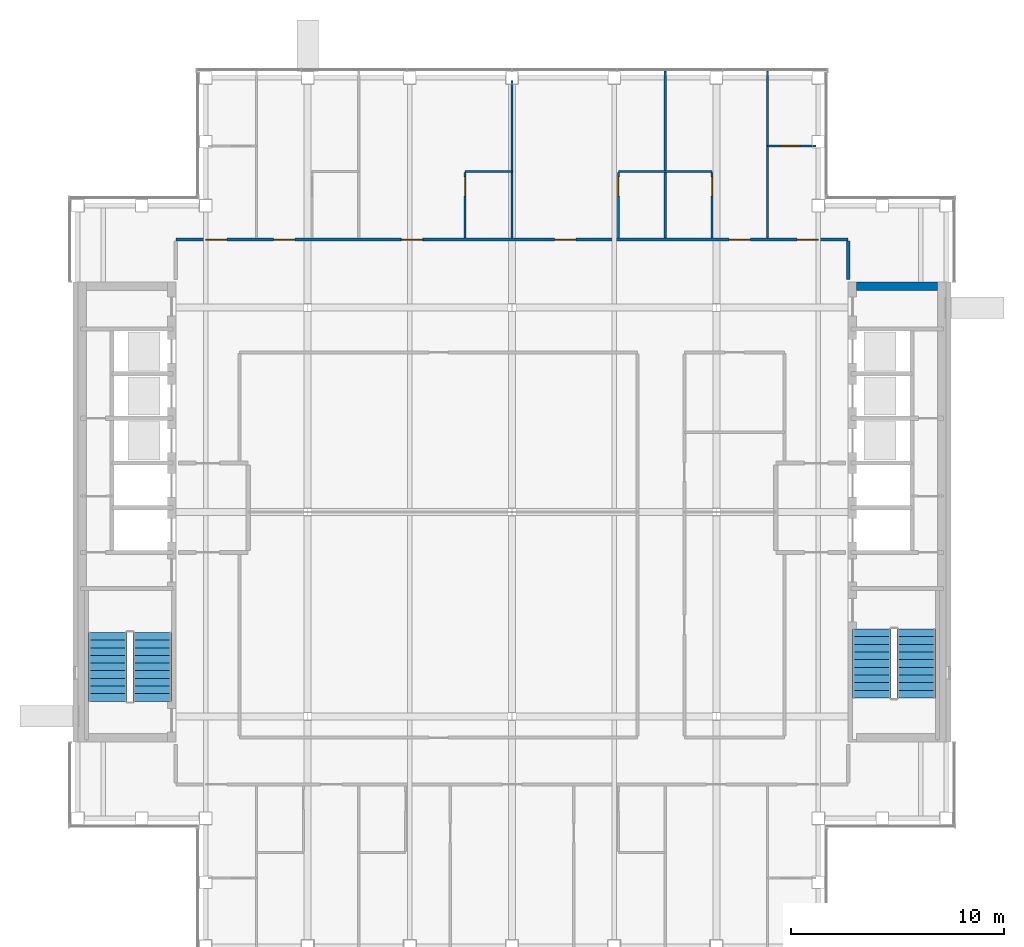
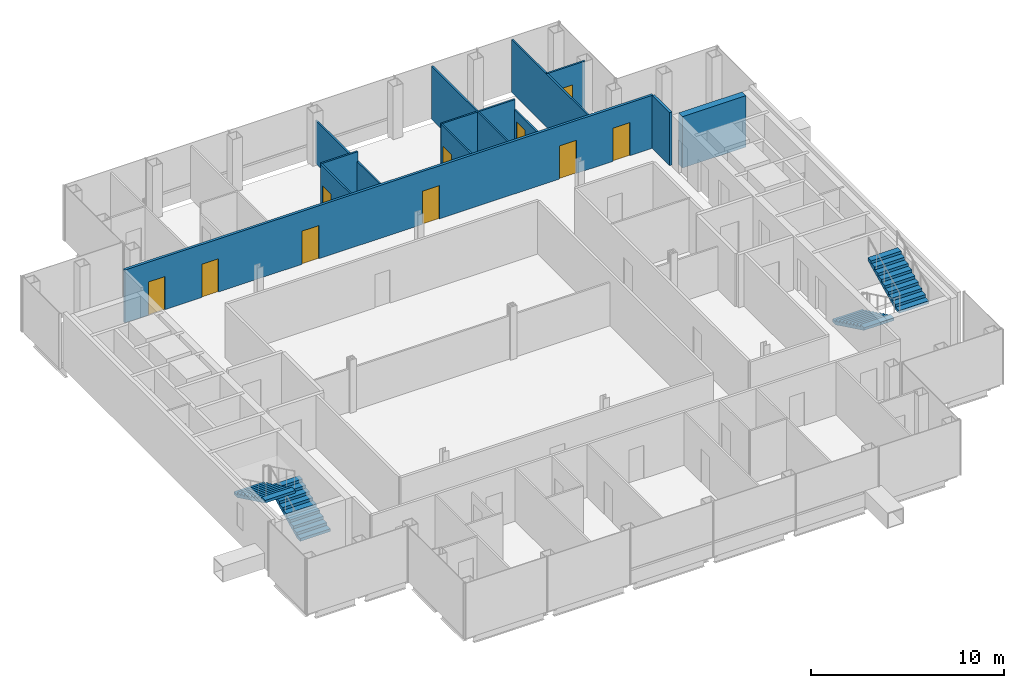
# One storey, part 13 of 15: 13 walls, 10 doors, 4 stair flights, 10 openings, 2 elements without a shape of their own.
"""IFC4 building model written with IfcOpenShell, lengths in metres."""

from ifc_helpers import new_model, si_unit, direction, frame, frame_2d, origin, place, context, subcontext, project, spatial, polyline, rectangle, outline, extrude, material, layer, layer_set, type_object, element, fill, aggregate, save


model = new_model("IFC4")

# Units and contexts
model_context = context("Model", 3, precision=1e-05, world=origin(), true_north=direction((0.0, 1.0)))
body_context = subcontext(model_context, "Body", "Model", "MODEL_VIEW")
ifc_project = project(units=[si_unit("LENGTHUNIT", "METRE"), si_unit("AREAUNIT", "SQUARE_METRE"), si_unit("VOLUMEUNIT", "CUBIC_METRE"), si_unit("PLANEANGLEUNIT", "RADIAN"), si_unit("MASSUNIT", "GRAM", prefix="KILO")], contexts=[model_context])

# Site, building, storey
site_placement = place(None, origin())
site = spatial("IfcSite", under=ifc_project, at=site_placement, CompositionType="ELEMENT")
building_placement = place(site_placement, origin())
building = spatial("IfcBuilding", under=site, at=building_placement, Name="Cobrizo Arcos Hotel Tower", CompositionType="ELEMENT")
storey_placement = place(building_placement, frame((0.0, 0.0, 258.5)))
storey = spatial("IfcBuildingStorey", under=building, at=storey_placement, Name="L68", CompositionType="ELEMENT", Elevation=258.5)

# Wall, openings, doors
ifc_material_1 = material(Name="Gypsum board partition")
ifc_layer_1 = layer(ifc_material_1, 0.14990234375)
ifc_layer_set_1 = layer_set([ifc_layer_1], Name="Corridor wall EI 60 150")
wall_type_1 = type_object("IfcWallType", Name="Corridor wall EI 60 150", PredefinedType="PARTITIONING", material=ifc_layer_set_1)
wall_1_placement = place(storey_placement, frame((-15.800048828125, 12.800048828125, 0.0), z_axis=(0.0, 0.0, 1.0), x_axis=(1.0, 0.0, 0.0)))
wall_1 = element("IfcWall", 1, at=wall_1_placement, inside=storey, type_object=wall_type_1, Name="Partition 040", PredefinedType="PARTITIONING", context=body_context, shape_type="SweptSolid", body=[
    extrude(rectangle(XDim=31.60009765625, YDim=0.14990234375, at=frame_2d((15.800048828125, 0.0))), origin(), (0.0, 0.0, 1.0), 3.35009765625),
])
opening_1_placement = place(wall_1_placement, frame((4.60009765625, 0.0, 0.0)))
opening_1 = element("IfcOpeningElement", 2, at=opening_1_placement, cuts=wall_1, Name="Opening GD-01", PredefinedType="OPENING", context=body_context, shape_type="SweptSolid", body=[
    extrude(rectangle(XDim=1.0, YDim=2.10009765625, at=frame_2d((0.5, 1.050048828125))), frame((0.0, 0.0869140625, 0.0), z_axis=(0.0, -1.0, 0.0), x_axis=(1.0, 0.0, 0.0)), (0.0, 0.0, 1.0), 0.173828125),
])
opening_2_placement = place(wall_1_placement, frame((10.60009765625, 0.0, 0.0)))
opening_2 = element("IfcOpeningElement", 3, at=opening_2_placement, cuts=wall_1, Name="Opening GD-02", PredefinedType="OPENING", context=body_context, shape_type="SweptSolid", body=[
    extrude(rectangle(XDim=1.0, YDim=2.10009765625, at=frame_2d((0.5, 1.050048828125))), frame((0.0, 0.0869140625, 0.0), z_axis=(0.0, -1.0, 0.0), x_axis=(1.0, 0.0, 0.0)), (0.0, 0.0, 1.0), 0.173828125),
])
opening_3_placement = place(wall_1_placement, frame((17.800048828125, 0.0, 0.0)))
opening_3 = element("IfcOpeningElement", 4, at=opening_3_placement, cuts=wall_1, Name="Opening GD-03", PredefinedType="OPENING", context=body_context, shape_type="SweptSolid", body=[
    extrude(rectangle(XDim=1.0, YDim=2.10009765625, at=frame_2d((0.5, 1.050048828125))), frame((0.0, 0.0869140625, 0.0), z_axis=(0.0, -1.0, 0.0), x_axis=(1.0, 0.0, 0.0)), (0.0, 0.0, 1.0), 0.173828125),
])
opening_4_placement = place(wall_1_placement, frame((26.0, 0.0, 0.0)))
opening_4 = element("IfcOpeningElement", 5, at=opening_4_placement, cuts=wall_1, Name="Opening GD-04", PredefinedType="OPENING", context=body_context, shape_type="SweptSolid", body=[
    extrude(rectangle(XDim=1.0, YDim=2.10009765625, at=frame_2d((0.5, 1.050048828125))), frame((0.0, 0.0869140625, 0.0), z_axis=(0.0, -1.0, 0.0), x_axis=(1.0, 0.0, 0.0)), (0.0, 0.0, 1.0), 0.173828125),
])
opening_5_placement = place(wall_1_placement, frame((1.39990234375, 0.0, 0.0)))
opening_5 = element("IfcOpeningElement", 6, at=opening_5_placement, cuts=wall_1, Name="Opening GD-07", PredefinedType="OPENING", context=body_context, shape_type="SweptSolid", body=[
    extrude(rectangle(XDim=1.0, YDim=2.10009765625, at=frame_2d((0.5, 1.050048828125))), frame((0.0, 0.0869140625, 0.0), z_axis=(0.0, -1.0, 0.0), x_axis=(1.0, 0.0, 0.0)), (0.0, 0.0, 1.0), 0.173828125),
])
opening_6_placement = place(wall_1_placement, frame((29.199951171875, 0.0, 0.0)))
opening_6 = element("IfcOpeningElement", 7, at=opening_6_placement, cuts=wall_1, Name="Opening GD-09", PredefinedType="OPENING", context=body_context, shape_type="SweptSolid", body=[
    extrude(rectangle(XDim=1.0, YDim=2.10009765625, at=frame_2d((0.5, 1.050048828125))), frame((0.0, 0.0869140625, 0.0), z_axis=(0.0, -1.0, 0.0), x_axis=(1.0, 0.0, 0.0)), (0.0, 0.0, 1.0), 0.173828125),
])
ifc_material_2 = material(Name="Timber door leaf", Category="wood")
door_type_1 = type_object("IfcDoorType", Name="Guest room door FD30S 1000x2100", OperationType="SINGLE_SWING_LEFT", PredefinedType="DOOR", material=ifc_material_2)
door_1_placement = place(opening_1_placement, origin())
door_1 = element("IfcDoor", 8, at=door_1_placement, inside=storey, type_object=door_type_1, Name="Door GD-01", OperationType="SINGLE_SWING_RIGHT", OverallHeight=2.10009765625, OverallWidth=1.0, PredefinedType="DOOR", context=body_context, shape_type="SweptSolid", body=[
    extrude(rectangle(XDim=1.0, YDim=2.10009765625, at=frame_2d((0.5, 1.050048828125))), frame((0.0, 0.02490234375, 0.0), z_axis=(0.0, -1.0, 0.0), x_axis=(1.0, 0.0, 0.0)), (0.0, 0.0, 1.0), 0.050048828125),
])
fill(opening_1, door_1)
door_2_placement = place(opening_2_placement, origin())
door_2 = element("IfcDoor", 9, at=door_2_placement, inside=storey, type_object=door_type_1, Name="Door GD-02", OperationType="SINGLE_SWING_RIGHT", OverallHeight=2.10009765625, OverallWidth=1.0, PredefinedType="DOOR", context=body_context, shape_type="SweptSolid", body=[
    extrude(rectangle(XDim=1.0, YDim=2.10009765625, at=frame_2d((0.5, 1.050048828125))), frame((0.0, 0.02490234375, 0.0), z_axis=(0.0, -1.0, 0.0), x_axis=(1.0, 0.0, 0.0)), (0.0, 0.0, 1.0), 0.050048828125),
])
fill(opening_2, door_2)
door_3_placement = place(opening_3_placement, origin())
door_3 = element("IfcDoor", 10, at=door_3_placement, inside=storey, type_object=door_type_1, Name="Door GD-03", OperationType="SINGLE_SWING_LEFT", OverallHeight=2.10009765625, OverallWidth=1.0, PredefinedType="DOOR", context=body_context, shape_type="SweptSolid", body=[
    extrude(rectangle(XDim=1.0, YDim=2.10009765625, at=frame_2d((0.5, 1.050048828125))), frame((0.0, 0.02490234375, 0.0), z_axis=(0.0, -1.0, 0.0), x_axis=(1.0, 0.0, 0.0)), (0.0, 0.0, 1.0), 0.050048828125),
])
fill(opening_3, door_3)
door_4_placement = place(opening_4_placement, origin())
door_4 = element("IfcDoor", 11, at=door_4_placement, inside=storey, type_object=door_type_1, Name="Door GD-04", OperationType="SINGLE_SWING_LEFT", OverallHeight=2.10009765625, OverallWidth=1.0, PredefinedType="DOOR", context=body_context, shape_type="SweptSolid", body=[
    extrude(rectangle(XDim=1.0, YDim=2.10009765625, at=frame_2d((0.5, 1.050048828125))), frame((0.0, 0.02490234375, 0.0), z_axis=(0.0, -1.0, 0.0), x_axis=(1.0, 0.0, 0.0)), (0.0, 0.0, 1.0), 0.050048828125),
])
fill(opening_4, door_4)
door_5_placement = place(opening_5_placement, origin())
door_5 = element("IfcDoor", 12, at=door_5_placement, inside=storey, type_object=door_type_1, Name="Door GD-07", OperationType="SINGLE_SWING_RIGHT", OverallHeight=2.10009765625, OverallWidth=1.0, PredefinedType="DOOR", context=body_context, shape_type="SweptSolid", body=[
    extrude(rectangle(XDim=1.0, YDim=2.10009765625, at=frame_2d((0.5, 1.050048828125))), frame((0.0, 0.02490234375, 0.0), z_axis=(0.0, -1.0, 0.0), x_axis=(1.0, 0.0, 0.0)), (0.0, 0.0, 1.0), 0.050048828125),
])
fill(opening_5, door_5)
door_6_placement = place(opening_6_placement, origin())
door_6 = element("IfcDoor", 13, at=door_6_placement, inside=storey, type_object=door_type_1, Name="Door GD-09", OperationType="SINGLE_SWING_LEFT", OverallHeight=2.10009765625, OverallWidth=1.0, PredefinedType="DOOR", context=body_context, shape_type="SweptSolid", body=[
    extrude(rectangle(XDim=1.0, YDim=2.10009765625, at=frame_2d((0.5, 1.050048828125))), frame((0.0, 0.02490234375, 0.0), z_axis=(0.0, -1.0, 0.0), x_axis=(1.0, 0.0, 0.0)), (0.0, 0.0, 1.0), 0.050048828125),
])
fill(opening_6, door_6)

# Walls
wall_2_placement = place(storey_placement, frame((15.800048828125, 10.919921875, 0.0), z_axis=(0.0, 0.0, 1.0), x_axis=(0.0, 1.0, 0.0)))
element("IfcWall", 14, at=wall_2_placement, inside=storey, type_object=wall_type_1, Name="Partition 079", PredefinedType="PARTITIONING", context=body_context, shape_type="SweptSolid", body=[
    extrude(rectangle(XDim=1.80517578125, YDim=0.14990234375, at=frame_2d((0.902587890625, 0.0))), origin(), (0.0, 0.0, 1.0), 3.35009765625),
])
ifc_layer_2 = layer(ifc_material_1, 0.10009765625)
ifc_layer_set_2 = layer_set([ifc_layer_2], Name="Partition EI 30 100")
wall_type_2 = type_object("IfcWallType", Name="Partition EI 30 100", PredefinedType="PARTITIONING", material=ifc_layer_set_2)
wall_3_placement = place(storey_placement, frame((-2.199951171875, 16.0, 0.0), z_axis=(0.0, 0.0, 1.0), x_axis=(1.0, 0.0, 0.0)))
element("IfcWall", 15, at=wall_3_placement, inside=storey, type_object=wall_type_2, Name="Partition 042", PredefinedType="PARTITIONING", context=body_context, shape_type="SweptSolid", body=[
    extrude(rectangle(XDim=2.199951171875, YDim=0.10009765625, at=frame_2d((1.10009765625, 0.0))), origin(), (0.0, 0.0, 1.0), 3.35009765625),
])
wall_4_placement = place(storey_placement, frame((5.0, 16.0, 0.0), z_axis=(0.0, 0.0, 1.0), x_axis=(1.0, 0.0, 0.0)))
element("IfcWall", 16, at=wall_4_placement, inside=storey, type_object=wall_type_2, Name="Partition 043", PredefinedType="PARTITIONING", context=body_context, shape_type="SweptSolid", body=[
    extrude(rectangle(XDim=4.39990234375, YDim=0.10009765625, at=frame_2d((2.199951171875, 0.0))), origin(), (0.0, 0.0, 1.0), 3.35009765625),
])

# Wall, opening, door
wall_5_placement = place(storey_placement, frame((12.0, 17.199951171875, 0.0), z_axis=(0.0, 0.0, 1.0), x_axis=(1.0, 0.0, 0.0)))
wall_5 = element("IfcWall", 17, at=wall_5_placement, inside=storey, type_object=wall_type_2, Name="Partition 045", PredefinedType="PARTITIONING", context=body_context, shape_type="SweptSolid", body=[
    extrude(rectangle(XDim=2.280029296875, YDim=0.10009765625, at=frame_2d((1.14013671875, 0.0))), origin(), (0.0, 0.0, 1.0), 3.35009765625),
])
opening_7_placement = place(wall_5_placement, frame((0.6298828125, 0.0, 0.0)))
opening_7 = element("IfcOpeningElement", 18, at=opening_7_placement, cuts=wall_5, Name="Opening ED-11", PredefinedType="OPENING", context=body_context, shape_type="SweptSolid", body=[
    extrude(rectangle(XDim=0.89990234375, YDim=2.10009765625, at=frame_2d((0.449951171875, 1.050048828125))), frame((0.0, 0.06201171875, 0.0), z_axis=(0.0, -1.0, 0.0), x_axis=(1.0, 0.0, 0.0)), (0.0, 0.0, 1.0), 0.1240234375),
])
door_type_2 = type_object("IfcDoorType", Name="En-suite door 900x2100", OperationType="SINGLE_SWING_LEFT", PredefinedType="DOOR", material=ifc_material_2)
door_7_placement = place(opening_7_placement, origin())
door_7 = element("IfcDoor", 19, at=door_7_placement, inside=storey, type_object=door_type_2, Name="Door ED-11", OperationType="SINGLE_SWING_LEFT", OverallHeight=2.10009765625, OverallWidth=0.89990234375, PredefinedType="DOOR", context=body_context, shape_type="SweptSolid", body=[
    extrude(rectangle(XDim=0.89990234375, YDim=2.10009765625, at=frame_2d((0.449951171875, 1.050048828125))), frame((0.0, 0.02490234375, 0.0), z_axis=(0.0, -1.0, 0.0), x_axis=(1.0, 0.0, 0.0)), (0.0, 0.0, 1.0), 0.050048828125),
])
fill(opening_7, door_7)

wall_6_placement = place(storey_placement, frame((-2.199951171875, 12.875, 0.0), z_axis=(0.0, 0.0, 1.0), x_axis=(0.0, 1.0, 0.0)))
wall_6 = element("IfcWall", 20, at=wall_6_placement, inside=storey, type_object=wall_type_2, Name="Partition 062", PredefinedType="PARTITIONING", context=body_context, shape_type="SweptSolid", body=[
    extrude(rectangle(XDim=3.074951171875, YDim=0.10009765625, at=frame_2d((1.53759765625, 0.0))), origin(), (0.0, 0.0, 1.0), 3.35009765625),
])
opening_8_placement = place(wall_6_placement, frame((1.970947265625, 0.0, 0.0)))
opening_8 = element("IfcOpeningElement", 21, at=opening_8_placement, cuts=wall_6, Name="Opening ED-02", PredefinedType="OPENING", context=body_context, shape_type="SweptSolid", body=[
    extrude(rectangle(XDim=0.89990234375, YDim=2.10009765625, at=frame_2d((0.449951171875, 1.050048828125))), frame((0.0, 0.06201171875, 0.0), z_axis=(0.0, -1.0, 0.0), x_axis=(1.0, 0.0, 0.0)), (0.0, 0.0, 1.0), 0.1240234375),
])
door_8_placement = place(opening_8_placement, origin())
door_8 = element("IfcDoor", 22, at=door_8_placement, inside=storey, type_object=door_type_2, Name="Door ED-02", OperationType="SINGLE_SWING_RIGHT", OverallHeight=2.10009765625, OverallWidth=0.89990234375, PredefinedType="DOOR", context=body_context, shape_type="SweptSolid", body=[
    extrude(rectangle(XDim=0.89990234375, YDim=2.10009765625, at=frame_2d((0.449951171875, 1.050048828125))), frame((0.0, 0.02490234375, 0.0), z_axis=(0.0, -1.0, 0.0), x_axis=(1.0, 0.0, 0.0)), (0.0, 0.0, 1.0), 0.050048828125),
])
fill(opening_8, door_8)

# Wall
wall_7_placement = place(storey_placement, frame((0.0, 12.875, 0.0), z_axis=(0.0, 0.0, 1.0), x_axis=(0.0, 1.0, 0.0)))
element("IfcWall", 23, at=wall_7_placement, inside=storey, type_object=wall_type_2, Name="Partition 063", PredefinedType="PARTITIONING", context=body_context, shape_type="SweptSolid", body=[
    extrude(rectangle(XDim=7.405029296875, YDim=0.10009765625, at=frame_2d((3.70263671875, 0.0))), origin(), (0.0, 0.0, 1.0), 2.72802734375),
])

# Wall, opening, door
wall_8_placement = place(storey_placement, frame((5.0, 12.875, 0.0), z_axis=(0.0, 0.0, 1.0), x_axis=(0.0, 1.0, 0.0)))
wall_8 = element("IfcWall", 24, at=wall_8_placement, inside=storey, type_object=wall_type_2, Name="Partition 066", PredefinedType="PARTITIONING", context=body_context, shape_type="SweptSolid", body=[
    extrude(rectangle(XDim=3.074951171875, YDim=0.10009765625, at=frame_2d((1.53759765625, 0.0))), origin(), (0.0, 0.0, 1.0), 3.35009765625),
])
opening_9_placement = place(wall_8_placement, frame((1.970947265625, 0.0, 0.0)))
opening_9 = element("IfcOpeningElement", 25, at=opening_9_placement, cuts=wall_8, Name="Opening ED-03", PredefinedType="OPENING", context=body_context, shape_type="SweptSolid", body=[
    extrude(rectangle(XDim=0.89990234375, YDim=2.10009765625, at=frame_2d((0.449951171875, 1.050048828125))), frame((0.0, 0.06201171875, 0.0), z_axis=(0.0, -1.0, 0.0), x_axis=(1.0, 0.0, 0.0)), (0.0, 0.0, 1.0), 0.1240234375),
])
door_9_placement = place(opening_9_placement, origin())
door_9 = element("IfcDoor", 26, at=door_9_placement, inside=storey, type_object=door_type_2, Name="Door ED-03", OperationType="SINGLE_SWING_LEFT", OverallHeight=2.10009765625, OverallWidth=0.89990234375, PredefinedType="DOOR", context=body_context, shape_type="SweptSolid", body=[
    extrude(rectangle(XDim=0.89990234375, YDim=2.10009765625, at=frame_2d((0.449951171875, 1.050048828125))), frame((0.0, 0.02490234375, 0.0), z_axis=(0.0, -1.0, 0.0), x_axis=(1.0, 0.0, 0.0)), (0.0, 0.0, 1.0), 0.050048828125),
])
fill(opening_9, door_9)

# Walls
wall_9_placement = place(storey_placement, frame((7.199951171875, 12.875, 0.0), z_axis=(0.0, 0.0, 1.0), x_axis=(0.0, 1.0, 0.0)))
element("IfcWall", 27, at=wall_9_placement, inside=storey, type_object=wall_type_2, Name="Partition 069", PredefinedType="PARTITIONING", context=body_context, shape_type="SweptSolid", body=[
    extrude(rectangle(XDim=3.074951171875, YDim=0.10009765625, at=frame_2d((1.53759765625, 0.0))), origin(), (0.0, 0.0, 1.0), 3.35009765625),
])
wall_10_placement = place(storey_placement, frame((7.199951171875, 16.050048828125, 0.0), z_axis=(0.0, 0.0, 1.0), x_axis=(0.0, 1.0, 0.0)))
element("IfcWall", 28, at=wall_10_placement, inside=storey, type_object=wall_type_2, Name="Partition 070", PredefinedType="PARTITIONING", context=body_context, shape_type="SweptSolid", body=[
    extrude(rectangle(XDim=4.679931640625, YDim=0.10009765625, at=frame_2d((2.33984375, 0.0))), origin(), (0.0, 0.0, 1.0), 3.35009765625),
])

# Wall, opening, door
wall_11_placement = place(storey_placement, frame((9.39990234375, 12.875, 0.0), z_axis=(0.0, 0.0, 1.0), x_axis=(0.0, 1.0, 0.0)))
wall_11 = element("IfcWall", 29, at=wall_11_placement, inside=storey, type_object=wall_type_2, Name="Partition 072", PredefinedType="PARTITIONING", context=body_context, shape_type="SweptSolid", body=[
    extrude(rectangle(XDim=3.074951171875, YDim=0.10009765625, at=frame_2d((1.53759765625, 0.0))), origin(), (0.0, 0.0, 1.0), 2.72802734375),
])
opening_10_placement = place(wall_11_placement, frame((1.970947265625, 0.0, 0.0)))
opening_10 = element("IfcOpeningElement", 30, at=opening_10_placement, cuts=wall_11, Name="Opening ED-04", PredefinedType="OPENING", context=body_context, shape_type="SweptSolid", body=[
    extrude(rectangle(XDim=0.89990234375, YDim=2.10009765625, at=frame_2d((0.449951171875, 1.050048828125))), frame((0.0, 0.06201171875, 0.0), z_axis=(0.0, -1.0, 0.0), x_axis=(1.0, 0.0, 0.0)), (0.0, 0.0, 1.0), 0.1240234375),
])
door_10_placement = place(opening_10_placement, origin())
door_10 = element("IfcDoor", 31, at=door_10_placement, inside=storey, type_object=door_type_2, Name="Door ED-04", OperationType="SINGLE_SWING_RIGHT", OverallHeight=2.10009765625, OverallWidth=0.89990234375, PredefinedType="DOOR", context=body_context, shape_type="SweptSolid", body=[
    extrude(rectangle(XDim=0.89990234375, YDim=2.10009765625, at=frame_2d((0.449951171875, 1.050048828125))), frame((0.0, 0.02490234375, 0.0), z_axis=(0.0, -1.0, 0.0), x_axis=(1.0, 0.0, 0.0)), (0.0, 0.0, 1.0), 0.050048828125),
])
fill(opening_10, door_10)

# Walls
wall_12_placement = place(storey_placement, frame((12.0, 12.875, 0.0), z_axis=(0.0, 0.0, 1.0), x_axis=(0.0, 1.0, 0.0)))
element("IfcWall", 32, at=wall_12_placement, inside=storey, type_object=wall_type_2, Name="Partition 074", PredefinedType="PARTITIONING", context=body_context, shape_type="SweptSolid", body=[
    extrude(rectangle(XDim=7.85498046875, YDim=0.10009765625, at=frame_2d((3.927490234375, 0.0))), origin(), (0.0, 0.0, 1.0), 3.35009765625),
])
ifc_material_3 = material(Name="Concrete f'c 40 MPa", Category="concrete")
ifc_layer_3 = layer(ifc_material_3, 0.39990234375)
ifc_layer_set_3 = layer_set([ifc_layer_3], Name="RC core wall 400 f'c 40")
wall_type_3 = type_object("IfcWallType", Name="RC core wall 400 f'c 40", PredefinedType="SHEAR", material=ifc_layer_set_3)
wall_13_placement = place(storey_placement, frame((16.199951171875, 10.60009765625, 0.0), z_axis=(0.0, 0.0, 1.0), x_axis=(1.0, 0.0, 0.0)))
element("IfcWall", 33, at=wall_13_placement, inside=storey, type_object=wall_type_3, Name="Core wall CW4, east core, north end, L68", PredefinedType="SHEAR", context=body_context, shape_type="SweptSolid", body=[
    extrude(rectangle(XDim=3.800048828125, YDim=0.39990234375, at=frame_2d((1.89990234375, 0.0))), origin(), (0.0, 0.0, 1.0), 3.25),
])

# Stair, stair flights
stair_type = type_object("IfcStairType", Name="Exit stair", PredefinedType="HALF_TURN_STAIR", material=ifc_material_3)
stair_1_placement = place(storey_placement, origin())
stair_1 = element("IfcStair", 34, at=stair_1_placement, inside=storey, type_object=stair_type, Name="L68 Exit stair ST-W", PredefinedType="HALF_TURN_STAIR")
stair_flight_type = type_object("IfcStairFlightType", Name="Exit stair flight", PredefinedType="STRAIGHT", material=ifc_material_3)
stair_flight_1_placement = place(storey_placement, frame((-16.89990234375, -8.89990234375, 0.0), z_axis=(0.0, 0.0, 1.0), x_axis=(0.0, 1.0, 0.0)))
stair_flight_1 = element("IfcStairFlight", 35, at=stair_flight_1_placement, type_object=stair_flight_type, Name="ST-W flight 1", NumberOfRisers=10, NumberOfTreads=9, PredefinedType="STRAIGHT", RiserHeight=0.175, TreadLength=0.36, context=body_context, shape_type="SweptSolid", body=[
    extrude(outline(polyline([(0.0, 0.0), (0.0, 0.175048828125), (0.360107421875, 0.175048828125), (0.360107421875, 0.35009765625), (0.719970703125, 0.35009765625), (0.719970703125, 0.52490234375), (1.080078125, 0.52490234375), (1.080078125, 0.699951171875), (1.43994140625, 0.699951171875), (1.43994140625, 0.875), (1.800048828125, 0.875), (1.800048828125, 1.050048828125), (2.159912109375, 1.050048828125), (2.159912109375, 1.22509765625), (2.52001953125, 1.22509765625), (2.52001953125, 1.39990234375), (2.8798828125, 1.39990234375), (2.8798828125, 1.574951171875), (3.239990234375, 1.574951171875), (3.239990234375, 1.75), (3.239990234375, 1.408203125), (0.3427734375, 0.0), (0.0, 0.0)])), frame((0.0, 0.89990234375, 0.0), z_axis=(0.0, -1.0, 0.0), x_axis=(1.0, 0.0, 0.0)), (0.0, 0.0, 1.0), 1.800048828125),
])
stair_flight_2_placement = place(storey_placement, frame((-19.0, -5.659912109375, 1.75), z_axis=(0.0, 0.0, 1.0), x_axis=(0.0, -1.0, 0.0)))
stair_flight_2 = element("IfcStairFlight", 36, at=stair_flight_2_placement, type_object=stair_flight_type, Name="ST-W flight 2", NumberOfRisers=10, NumberOfTreads=9, PredefinedType="STRAIGHT", RiserHeight=0.175, TreadLength=0.36, context=body_context, shape_type="SweptSolid", body=[
    extrude(outline(polyline([(0.0, 0.0), (0.0, 0.175048828125), (0.360107421875, 0.175048828125), (0.360107421875, 0.35009765625), (0.719970703125, 0.35009765625), (0.719970703125, 0.52490234375), (1.080078125, 0.52490234375), (1.080078125, 0.699951171875), (1.43994140625, 0.699951171875), (1.43994140625, 0.875), (1.800048828125, 0.875), (1.800048828125, 1.050048828125), (2.159912109375, 1.050048828125), (2.159912109375, 1.22509765625), (2.52001953125, 1.22509765625), (2.52001953125, 1.39990234375), (2.8798828125, 1.39990234375), (2.8798828125, 1.574951171875), (3.239990234375, 1.574951171875), (3.239990234375, 1.75), (3.239990234375, 1.408203125), (0.3427734375, 0.0), (0.0, 0.0)])), frame((0.0, 0.89990234375, 0.0), z_axis=(0.0, -1.0, 0.0), x_axis=(1.0, 0.0, 0.0)), (0.0, 0.0, 1.0), 1.800048828125),
])
aggregate(stair_1, [stair_flight_1, stair_flight_2])

stair_2_placement = place(storey_placement, origin())
stair_2 = element("IfcStair", 37, at=stair_2_placement, inside=storey, type_object=stair_type, Name="L68 Exit stair ST-E", PredefinedType="HALF_TURN_STAIR")
stair_flight_3_placement = place(storey_placement, frame((16.89990234375, -5.5, 0.0), z_axis=(0.0, 0.0, 1.0), x_axis=(0.0, -1.0, 0.0)))
stair_flight_3 = element("IfcStairFlight", 38, at=stair_flight_3_placement, type_object=stair_flight_type, Name="ST-E flight 1", NumberOfRisers=10, NumberOfTreads=9, PredefinedType="STRAIGHT", RiserHeight=0.175, TreadLength=0.36, context=body_context, shape_type="SweptSolid", body=[
    extrude(outline(polyline([(0.0, 0.0), (0.0, 0.175048828125), (0.360107421875, 0.175048828125), (0.360107421875, 0.35009765625), (0.719970703125, 0.35009765625), (0.719970703125, 0.52490234375), (1.080078125, 0.52490234375), (1.080078125, 0.699951171875), (1.43994140625, 0.699951171875), (1.43994140625, 0.875), (1.800048828125, 0.875), (1.800048828125, 1.050048828125), (2.159912109375, 1.050048828125), (2.159912109375, 1.22509765625), (2.52001953125, 1.22509765625), (2.52001953125, 1.39990234375), (2.8798828125, 1.39990234375), (2.8798828125, 1.574951171875), (3.239990234375, 1.574951171875), (3.239990234375, 1.75), (3.239990234375, 1.408203125), (0.3427734375, 0.0), (0.0, 0.0)])), frame((0.0, 0.89990234375, 0.0), z_axis=(0.0, -1.0, 0.0), x_axis=(1.0, 0.0, 0.0)), (0.0, 0.0, 1.0), 1.800048828125),
])
stair_flight_4_placement = place(storey_placement, frame((19.0, -8.739990234375, 1.75), z_axis=(0.0, 0.0, 1.0), x_axis=(0.0, 1.0, 0.0)))
stair_flight_4 = element("IfcStairFlight", 39, at=stair_flight_4_placement, type_object=stair_flight_type, Name="ST-E flight 2", NumberOfRisers=10, NumberOfTreads=9, PredefinedType="STRAIGHT", RiserHeight=0.175, TreadLength=0.36, context=body_context, shape_type="SweptSolid", body=[
    extrude(outline(polyline([(0.0, 0.0), (0.0, 0.175048828125), (0.360107421875, 0.175048828125), (0.360107421875, 0.35009765625), (0.719970703125, 0.35009765625), (0.719970703125, 0.52490234375), (1.080078125, 0.52490234375), (1.080078125, 0.699951171875), (1.43994140625, 0.699951171875), (1.43994140625, 0.875), (1.800048828125, 0.875), (1.800048828125, 1.050048828125), (2.159912109375, 1.050048828125), (2.159912109375, 1.22509765625), (2.52001953125, 1.22509765625), (2.52001953125, 1.39990234375), (2.8798828125, 1.39990234375), (2.8798828125, 1.574951171875), (3.239990234375, 1.574951171875), (3.239990234375, 1.75), (3.239990234375, 1.408203125), (0.3427734375, 0.0), (0.0, 0.0)])), frame((0.0, 0.89990234375, 0.0), z_axis=(0.0, -1.0, 0.0), x_axis=(1.0, 0.0, 0.0)), (0.0, 0.0, 1.0), 1.800048828125),
])
aggregate(stair_2, [stair_flight_3, stair_flight_4])

save(model, "model.ifc")
